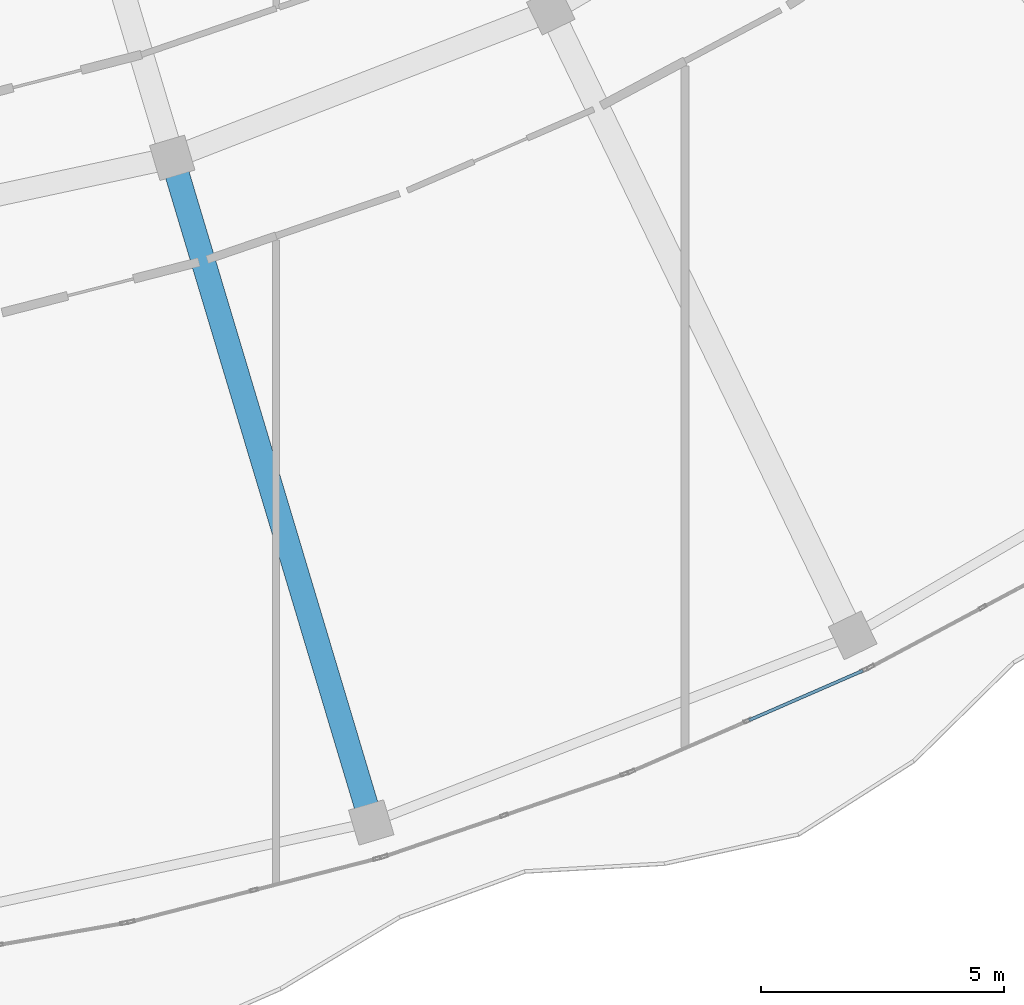
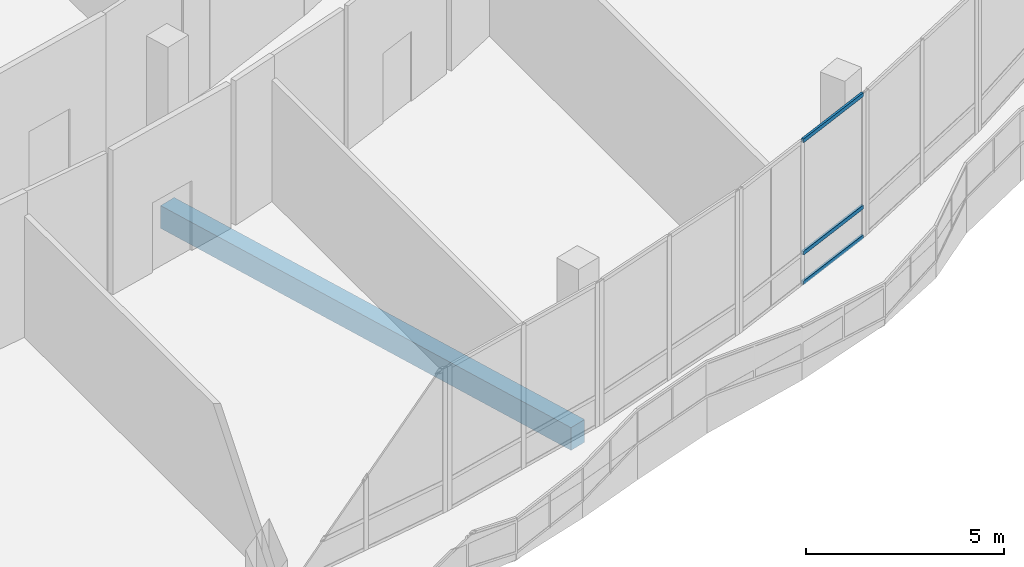
# One storey, part 47 of 168: 3 members, 1 beam, 1 element without a shape of its own.
"""IFC4 building model written with IfcOpenShell, lengths in metres."""

from ifc_helpers import new_model, si_unit, direction, frame, origin, origin_2d, place, context, subcontext, project, spatial, rectangle, hollow_rectangle, extrude, material, material_profile, profile_set, type_object, element, aggregate, save


model = new_model("IFC4")

# Units and contexts
model_context = context("Model", 3, precision=1e-05, world=origin(), true_north=direction((0.0, 1.0)))
body_context = subcontext(model_context, "Body", "Model", "MODEL_VIEW")
ifc_project = project(units=[si_unit("LENGTHUNIT", "METRE"), si_unit("AREAUNIT", "SQUARE_METRE"), si_unit("VOLUMEUNIT", "CUBIC_METRE"), si_unit("PLANEANGLEUNIT", "RADIAN"), si_unit("MASSUNIT", "GRAM", prefix="KILO")], contexts=[model_context])

# Site, building, storey
site_placement = place(None, origin())
site = spatial("IfcSite", under=ifc_project, at=site_placement, CompositionType="ELEMENT")
building_placement = place(site_placement, origin())
building = spatial("IfcBuilding", under=site, at=building_placement, Name="Selatvlak General Hospital", CompositionType="ELEMENT")
storey_placement = place(building_placement, frame((0.0, 0.0, 5.39990234375)))
storey = spatial("IfcBuildingStorey", under=building, at=storey_placement, Name="L01", CompositionType="ELEMENT", Elevation=5.39990234375)

# Beam
ifc_material_1 = material(Name="Concrete C40/50", Category="concrete")
ifc_material_profile_1 = material_profile(ifc_material_1, rectangle(XDim=0.5, YDim=0.699951171875, at=origin_2d()), Name="RC-BM 500x700")
ifc_profile_set_1 = profile_set([ifc_material_profile_1], Name="Concrete C40/50")
beam_type = type_object("IfcBeamType", Name="BM-G03", PredefinedType="BEAM", material=ifc_profile_set_1)
beam_placement = place(storey_placement, frame((71.06689453125, 29.208984375, -0.669921875), z_axis=(0.286865340788, -0.957970916184, 0.0), x_axis=(0.957970916184, 0.286865340788, 0.0)))
element("IfcBeam", 1, at=beam_placement, inside=storey, type_object=beam_type, Name="Beam BMR-L01-0728", PredefinedType="BEAM", context=body_context, shape_type="SweptSolid", body=[
    extrude(rectangle(XDim=0.5, YDim=0.699951171875, at=origin_2d()), origin(), (0.0, 0.0, 1.0), 14.2509765625),
])

# Curtain wall, members
ifc_material_2 = material(Name="Solar-control Low-E double glazing", Category="glass")
curtain_wall_type = type_object("IfcCurtainWallType", Name="CW-CW-02", PredefinedType="USERDEFINED", material=ifc_material_2)
curtain_wall_placement = place(storey_placement, origin())
curtain_wall = element("IfcCurtainWall", 2, at=curtain_wall_placement, inside=storey, type_object=curtain_wall_type, Name="Glazed facade curtain wall CW-L01-0170", ObjectType="UNITISED CURTAIN WALL", PredefinedType="USERDEFINED")
ifc_material_3 = material(Name="Dark anodised aluminium mullion", Category="aluminium")
ifc_material_profile_2 = material_profile(ifc_material_3, hollow_rectangle(XDim=0.06494140625, YDim=0.1201171875, WallThickness=0.00390625, at=origin_2d()), Name="AL-TRN 65x120x4")
ifc_profile_set_2 = profile_set([ifc_material_profile_2], Name="Dark anodised aluminium mullion")
member_type = type_object("IfcMemberType", Name="CWT-01", PredefinedType="USERDEFINED", material=ifc_profile_set_2)
member_1_placement = place(storey_placement, frame((85.25146484375, 18.674072265625, 0.03271484375), z_axis=(-0.916783283097, -0.399385042077, 0.0), x_axis=(0.399385042077, -0.916783283097, 0.0)))
member_1 = element("IfcMember", 3, at=member_1_placement, type_object=member_type, Name="CW-02 transom 1.1", ObjectType="TRANSOM", PredefinedType="USERDEFINED", context=body_context, shape_type="SweptSolid", body=[
    extrude(hollow_rectangle(XDim=0.06494140625, YDim=0.1201171875, WallThickness=0.00390625, at=origin_2d()), origin(), (0.0, 0.0, 1.0), 2.546630859375),
])
member_2_placement = place(storey_placement, frame((85.25146484375, 18.674072265625, 0.9501953125), z_axis=(-0.916783283097, -0.399385042077, 0.0), x_axis=(0.399385042077, -0.916783283097, 0.0)))
member_2 = element("IfcMember", 4, at=member_2_placement, type_object=member_type, Name="CW-02 transom 1.2", ObjectType="TRANSOM", PredefinedType="USERDEFINED", context=body_context, shape_type="SweptSolid", body=[
    extrude(hollow_rectangle(XDim=0.06494140625, YDim=0.1201171875, WallThickness=0.00390625, at=origin_2d()), origin(), (0.0, 0.0, 1.0), 2.546630859375),
])
member_3_placement = place(storey_placement, frame((85.25146484375, 18.674072265625, 4.41259765625), z_axis=(-0.916783283097, -0.399385042077, 0.0), x_axis=(0.399385042077, -0.916783283097, 0.0)))
member_3 = element("IfcMember", 5, at=member_3_placement, type_object=member_type, Name="CW-02 transom 1.3", ObjectType="TRANSOM", PredefinedType="USERDEFINED", context=body_context, shape_type="SweptSolid", body=[
    extrude(hollow_rectangle(XDim=0.06494140625, YDim=0.1201171875, WallThickness=0.00390625, at=origin_2d()), origin(), (0.0, 0.0, 1.0), 2.546630859375),
])
aggregate(curtain_wall, [member_1, member_2, member_3])

save(model, "model.ifc")
